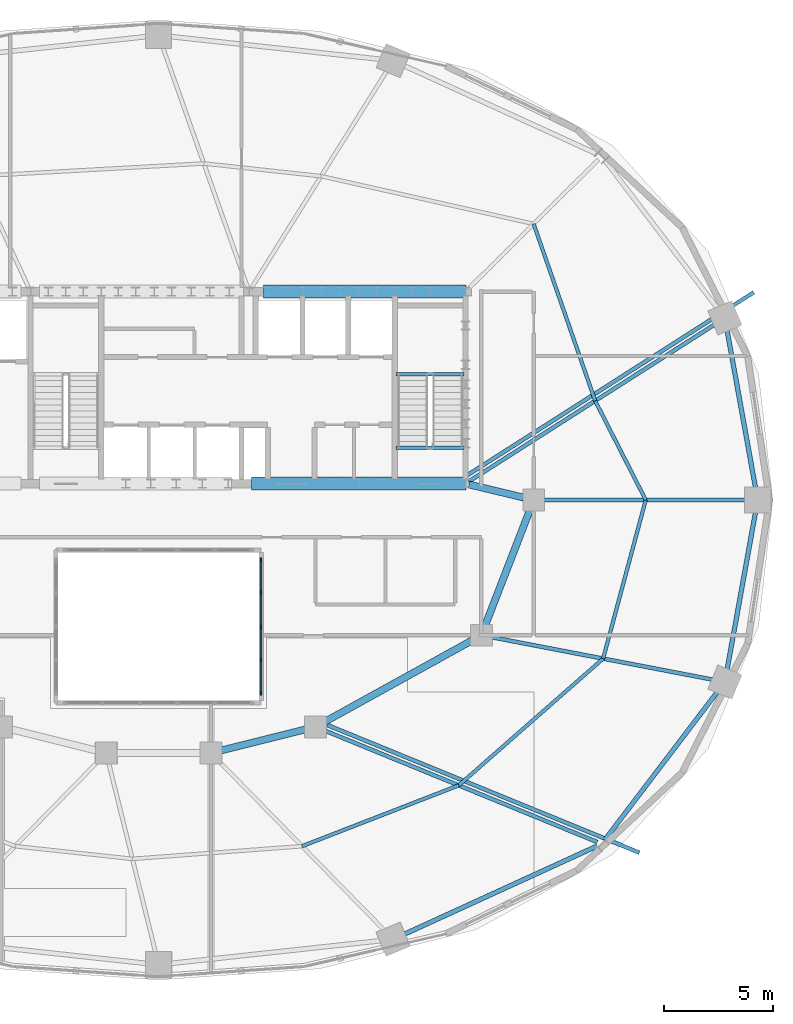
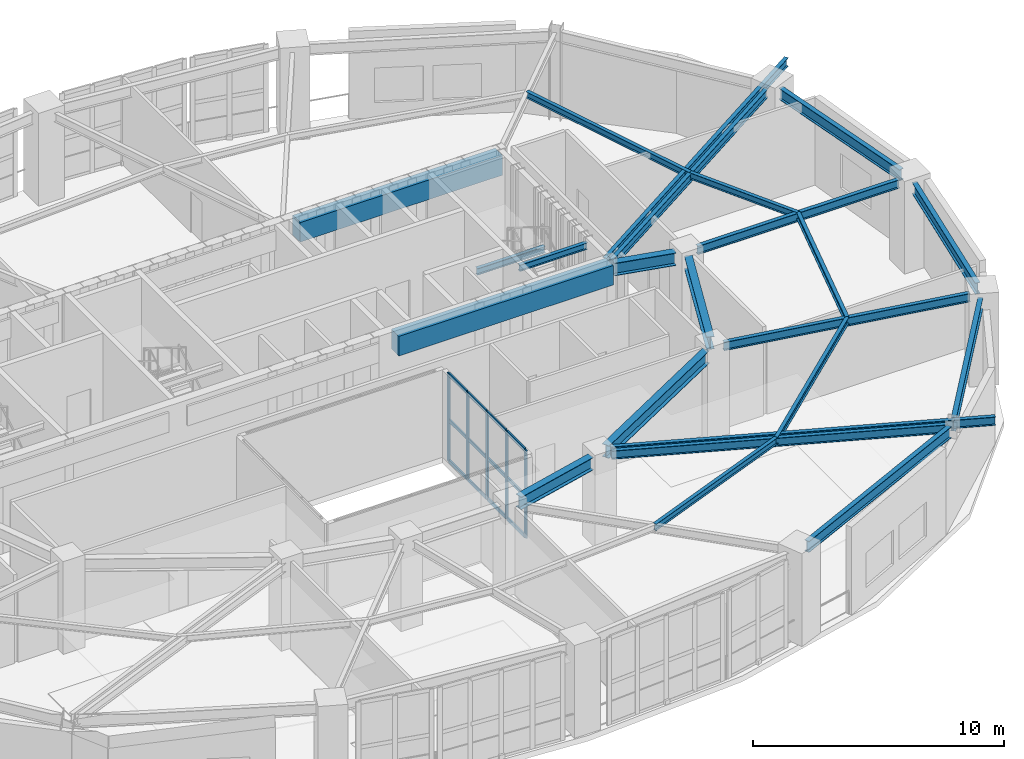
# One storey, part 6 of 16: 23 beams, 17 members, 1 element without a shape of its own.
"""IFC4 building model written with IfcOpenShell, lengths in metres."""

from ifc_helpers import new_model, si_unit, direction, frame, origin, origin_2d, place, context, subcontext, project, spatial, rectangle, i_section, extrude, material, material_profile, profile_set, type_object, element, aggregate, save


model = new_model("IFC4")

# Units and contexts
model_context = context("Model", 3, precision=1e-05, world=origin(), true_north=direction((0.0, 1.0)))
body_context = subcontext(model_context, "Body", "Model", "MODEL_VIEW")
ifc_project = project(units=[si_unit("LENGTHUNIT", "METRE"), si_unit("AREAUNIT", "SQUARE_METRE"), si_unit("VOLUMEUNIT", "CUBIC_METRE"), si_unit("PLANEANGLEUNIT", "RADIAN"), si_unit("MASSUNIT", "GRAM", prefix="KILO")], contexts=[model_context])

# Site, building, storey
site_placement = place(None, origin())
site = spatial("IfcSite", under=ifc_project, at=site_placement, CompositionType="ELEMENT")
building_placement = place(site_placement, origin())
building = spatial("IfcBuilding", under=site, at=building_placement, Name="Haldorwick Loom Tower", CompositionType="ELEMENT")
storey_placement = place(building_placement, frame((0.0, 0.0, 200.35009765625)))
storey = spatial("IfcBuildingStorey", under=building, at=storey_placement, Name="L54", CompositionType="ELEMENT", Elevation=200.35009765625)

# Curtain wall, members
ifc_material_1 = material(Name="Thermally Broken Anodized Aluminium Curtain Wall Framing", Category="aluminium")
curtain_wall_type = type_object("IfcCurtainWallType", Name="ARC-CW-03", PredefinedType="NOTDEFINED", material=ifc_material_1)
curtain_wall_placement = place(storey_placement, origin())
curtain_wall = element("IfcCurtainWall", 1, at=curtain_wall_placement, inside=storey, type_object=curtain_wall_type, Name="L54 Atrium Glazed Screen E", PredefinedType="NOTDEFINED")
ifc_material_profile_1 = material_profile(ifc_material_1, rectangle(XDim=0.06591796875, YDim=0.18505859375, at=origin_2d()), Name="ALU_MUL_66X185", Category="aluminium")
ifc_profile_set_1 = profile_set([ifc_material_profile_1], Name="Thermally Broken Anodized Aluminium Curtain Wall Framing")
member_type_1 = type_object("IfcMemberType", Name="ARC-CWM-03", PredefinedType="MULLION", material=ifc_profile_set_1)
member_1_placement = place(storey_placement, frame((40.699951171875, 23.26708984375, 0.0), z_axis=(0.0, 0.0, 1.0), x_axis=(1.0, 0.0, 0.0)))
member_1 = element("IfcMember", 2, at=member_1_placement, type_object=member_type_1, Name="CW-03 mullion 1", PredefinedType="MULLION", context=body_context, shape_type="SweptSolid", body=[
    extrude(rectangle(XDim=0.06591796875, YDim=0.18505859375, at=origin_2d()), origin(), (0.0, 0.0, 1.0), 4.260009765625),
])
member_2_placement = place(storey_placement, frame((40.699951171875, 21.75, 0.0), z_axis=(0.0, 0.0, 1.0), x_axis=(1.0, 0.0, 0.0)))
member_2 = element("IfcMember", 3, at=member_2_placement, type_object=member_type_1, Name="CW-03 mullion 2", PredefinedType="MULLION", context=body_context, shape_type="SweptSolid", body=[
    extrude(rectangle(XDim=0.06591796875, YDim=0.18505859375, at=origin_2d()), origin(), (0.0, 0.0, 1.0), 4.260009765625),
])
member_3_placement = place(storey_placement, frame((40.699951171875, 20.199951171875, 0.0), z_axis=(0.0, 0.0, 1.0), x_axis=(1.0, 0.0, 0.0)))
member_3 = element("IfcMember", 4, at=member_3_placement, type_object=member_type_1, Name="CW-03 mullion 3", PredefinedType="MULLION", context=body_context, shape_type="SweptSolid", body=[
    extrude(rectangle(XDim=0.06591796875, YDim=0.18505859375, at=origin_2d()), origin(), (0.0, 0.0, 1.0), 4.260009765625),
])
member_4_placement = place(storey_placement, frame((40.699951171875, 18.64990234375, 0.0), z_axis=(0.0, 0.0, 1.0), x_axis=(1.0, 0.0, 0.0)))
member_4 = element("IfcMember", 5, at=member_4_placement, type_object=member_type_1, Name="CW-03 mullion 4", PredefinedType="MULLION", context=body_context, shape_type="SweptSolid", body=[
    extrude(rectangle(XDim=0.06591796875, YDim=0.18505859375, at=origin_2d()), origin(), (0.0, 0.0, 1.0), 4.260009765625),
])
member_5_placement = place(storey_placement, frame((40.699951171875, 17.133056640625, 0.0), z_axis=(0.0, 0.0, 1.0), x_axis=(1.0, 0.0, 0.0)))
member_5 = element("IfcMember", 6, at=member_5_placement, type_object=member_type_1, Name="CW-03 mullion 5", PredefinedType="MULLION", context=body_context, shape_type="SweptSolid", body=[
    extrude(rectangle(XDim=0.06591796875, YDim=0.18505859375, at=origin_2d()), origin(), (0.0, 0.0, 1.0), 4.260009765625),
])
ifc_material_profile_2 = material_profile(ifc_material_1, rectangle(XDim=0.06591796875, YDim=0.1650390625, at=origin_2d()), Name="ALU_TRN_66X165", Category="aluminium")
ifc_profile_set_2 = profile_set([ifc_material_profile_2], Name="Thermally Broken Anodized Aluminium Curtain Wall Framing")
member_type_2 = type_object("IfcMemberType", Name="ARC-CWT-03", PredefinedType="USERDEFINED", material=ifc_profile_set_2)
member_6_placement = place(storey_placement, frame((40.699951171875, 23.23388671875, 0.032958984375), z_axis=(0.0, -1.0, 0.0), x_axis=(1.0, 0.0, 0.0)))
member_6 = element("IfcMember", 7, at=member_6_placement, type_object=member_type_2, Name="CW-03 transom 1.1", ObjectType="TRANSOM", PredefinedType="USERDEFINED", context=body_context, shape_type="SweptSolid", body=[
    extrude(rectangle(XDim=0.06591796875, YDim=0.1650390625, at=origin_2d()), origin(), (0.0, 0.0, 1.0), 1.450927734375),
])
member_7_placement = place(storey_placement, frame((40.699951171875, 23.23388671875, 2.0), z_axis=(0.0, -1.0, 0.0), x_axis=(1.0, 0.0, 0.0)))
member_7 = element("IfcMember", 8, at=member_7_placement, type_object=member_type_2, Name="CW-03 transom 1.2", ObjectType="TRANSOM", PredefinedType="USERDEFINED", context=body_context, shape_type="SweptSolid", body=[
    extrude(rectangle(XDim=0.06591796875, YDim=0.1650390625, at=origin_2d()), origin(), (0.0, 0.0, 1.0), 1.450927734375),
])
member_8_placement = place(storey_placement, frame((40.699951171875, 23.23388671875, 4.226806640625), z_axis=(0.0, -1.0, 0.0), x_axis=(1.0, 0.0, 0.0)))
member_8 = element("IfcMember", 9, at=member_8_placement, type_object=member_type_2, Name="CW-03 transom 1.3", ObjectType="TRANSOM", PredefinedType="USERDEFINED", context=body_context, shape_type="SweptSolid", body=[
    extrude(rectangle(XDim=0.06591796875, YDim=0.1650390625, at=origin_2d()), origin(), (0.0, 0.0, 1.0), 1.450927734375),
])
member_9_placement = place(storey_placement, frame((40.699951171875, 21.717041015625, 0.032958984375), z_axis=(0.0, -1.0, 0.0), x_axis=(1.0, 0.0, 0.0)))
member_9 = element("IfcMember", 10, at=member_9_placement, type_object=member_type_2, Name="CW-03 transom 2.1", ObjectType="TRANSOM", PredefinedType="USERDEFINED", context=body_context, shape_type="SweptSolid", body=[
    extrude(rectangle(XDim=0.06591796875, YDim=0.1650390625, at=origin_2d()), origin(), (0.0, 0.0, 1.0), 1.484130859375),
])
member_10_placement = place(storey_placement, frame((40.699951171875, 21.717041015625, 2.0), z_axis=(0.0, -1.0, 0.0), x_axis=(1.0, 0.0, 0.0)))
member_10 = element("IfcMember", 11, at=member_10_placement, type_object=member_type_2, Name="CW-03 transom 2.2", ObjectType="TRANSOM", PredefinedType="USERDEFINED", context=body_context, shape_type="SweptSolid", body=[
    extrude(rectangle(XDim=0.06591796875, YDim=0.1650390625, at=origin_2d()), origin(), (0.0, 0.0, 1.0), 1.484130859375),
])
member_11_placement = place(storey_placement, frame((40.699951171875, 21.717041015625, 4.226806640625), z_axis=(0.0, -1.0, 0.0), x_axis=(1.0, 0.0, 0.0)))
member_11 = element("IfcMember", 12, at=member_11_placement, type_object=member_type_2, Name="CW-03 transom 2.3", ObjectType="TRANSOM", PredefinedType="USERDEFINED", context=body_context, shape_type="SweptSolid", body=[
    extrude(rectangle(XDim=0.06591796875, YDim=0.1650390625, at=origin_2d()), origin(), (0.0, 0.0, 1.0), 1.484130859375),
])
member_12_placement = place(storey_placement, frame((40.699951171875, 20.1669921875, 0.032958984375), z_axis=(0.0, -1.0, 0.0), x_axis=(1.0, 0.0, 0.0)))
member_12 = element("IfcMember", 13, at=member_12_placement, type_object=member_type_2, Name="CW-03 transom 3.1", ObjectType="TRANSOM", PredefinedType="USERDEFINED", context=body_context, shape_type="SweptSolid", body=[
    extrude(rectangle(XDim=0.06591796875, YDim=0.1650390625, at=origin_2d()), origin(), (0.0, 0.0, 1.0), 1.48388671875),
])
member_13_placement = place(storey_placement, frame((40.699951171875, 20.1669921875, 2.0), z_axis=(0.0, -1.0, 0.0), x_axis=(1.0, 0.0, 0.0)))
member_13 = element("IfcMember", 14, at=member_13_placement, type_object=member_type_2, Name="CW-03 transom 3.2", ObjectType="TRANSOM", PredefinedType="USERDEFINED", context=body_context, shape_type="SweptSolid", body=[
    extrude(rectangle(XDim=0.06591796875, YDim=0.1650390625, at=origin_2d()), origin(), (0.0, 0.0, 1.0), 1.48388671875),
])
member_14_placement = place(storey_placement, frame((40.699951171875, 20.1669921875, 4.226806640625), z_axis=(0.0, -1.0, 0.0), x_axis=(1.0, 0.0, 0.0)))
member_14 = element("IfcMember", 15, at=member_14_placement, type_object=member_type_2, Name="CW-03 transom 3.3", ObjectType="TRANSOM", PredefinedType="USERDEFINED", context=body_context, shape_type="SweptSolid", body=[
    extrude(rectangle(XDim=0.06591796875, YDim=0.1650390625, at=origin_2d()), origin(), (0.0, 0.0, 1.0), 1.48388671875),
])
member_15_placement = place(storey_placement, frame((40.699951171875, 18.616943359375, 0.032958984375), z_axis=(0.0, -1.0, 0.0), x_axis=(1.0, 0.0, 0.0)))
member_15 = element("IfcMember", 16, at=member_15_placement, type_object=member_type_2, Name="CW-03 transom 4.1", ObjectType="TRANSOM", PredefinedType="USERDEFINED", context=body_context, shape_type="SweptSolid", body=[
    extrude(rectangle(XDim=0.06591796875, YDim=0.1650390625, at=origin_2d()), origin(), (0.0, 0.0, 1.0), 1.450927734375),
])
member_16_placement = place(storey_placement, frame((40.699951171875, 18.616943359375, 2.0), z_axis=(0.0, -1.0, 0.0), x_axis=(1.0, 0.0, 0.0)))
member_16 = element("IfcMember", 17, at=member_16_placement, type_object=member_type_2, Name="CW-03 transom 4.2", ObjectType="TRANSOM", PredefinedType="USERDEFINED", context=body_context, shape_type="SweptSolid", body=[
    extrude(rectangle(XDim=0.06591796875, YDim=0.1650390625, at=origin_2d()), origin(), (0.0, 0.0, 1.0), 1.450927734375),
])
member_17_placement = place(storey_placement, frame((40.699951171875, 18.616943359375, 4.226806640625), z_axis=(0.0, -1.0, 0.0), x_axis=(1.0, 0.0, 0.0)))
member_17 = element("IfcMember", 18, at=member_17_placement, type_object=member_type_2, Name="CW-03 transom 4.3", ObjectType="TRANSOM", PredefinedType="USERDEFINED", context=body_context, shape_type="SweptSolid", body=[
    extrude(rectangle(XDim=0.06591796875, YDim=0.1650390625, at=origin_2d()), origin(), (0.0, 0.0, 1.0), 1.450927734375),
])
aggregate(curtain_wall, [member_1, member_2, member_3, member_4, member_5, member_6, member_7, member_8, member_9, member_10, member_11, member_12, member_13, member_14, member_15, member_16, member_17])

# Beams
ifc_material_2 = material(Name="Steel CSA G40.21 350W", Category="steel")
ifc_material_profile_3 = material_profile(ifc_material_2, i_section(OverallWidth=0.179931640625, OverallDepth=0.4130859375, WebThickness=0.009765625, FlangeThickness=0.01611328125, at=origin_2d()), Name="W410X74", Category="steel")
ifc_profile_set_3 = profile_set([ifc_material_profile_3], Name="Steel CSA G40.21 350W")
beam_type_1 = type_object("IfcBeamType", Name="STR-BM-BAL410", PredefinedType="BEAM", material=ifc_profile_set_3)
beam_1_placement = place(storey_placement, frame((43.74560546875, 15.679443359375, 4.053466796875), z_axis=(0.925580184245, -0.378551611451, 0.0), x_axis=(0.378551611451, 0.925580184245, 0.0)))
element("IfcBeam", 19, at=beam_1_placement, inside=storey, type_object=beam_type_1, Name="L54 Continuous Back-Spanned Balcony Beam 1", PredefinedType="BEAM", context=body_context, shape_type="SweptSolid", body=[
    extrude(i_section(OverallWidth=0.179931640625, OverallDepth=0.4130859375, WebThickness=0.009765625, FlangeThickness=0.01611328125, at=origin_2d()), origin(), (0.0, 0.0, 1.0), 15.447509765625),
])
beam_2_placement = place(storey_placement, frame((50.0693359375, 27.081787109375, 4.053466796875), z_axis=(0.842844376394, 0.538157372133, 0.0), x_axis=(-0.538157372133, 0.842844376394, 0.0)))
element("IfcBeam", 20, at=beam_2_placement, inside=storey, type_object=beam_type_1, Name="L54 Continuous Back-Spanned Balcony Beam 4", PredefinedType="BEAM", context=body_context, shape_type="SweptSolid", body=[
    extrude(i_section(OverallWidth=0.179931640625, OverallDepth=0.4130859375, WebThickness=0.009765625, FlangeThickness=0.01611328125, at=origin_2d()), origin(), (0.0, 0.0, 1.0), 15.680419921875),
])
ifc_material_3 = material(Name="Concrete C50 (50 MPa)", Category="concrete")
ifc_material_profile_4 = material_profile(ifc_material_3, rectangle(XDim=0.60009765625, YDim=0.949951171875, at=origin_2d()), Name="RC600X950", Category="concrete")
ifc_profile_set_4 = profile_set([ifc_material_profile_4], Name="Concrete C50 (50 MPa)")
beam_type_2 = type_object("IfcBeamType", Name="STR-BM-CB950", PredefinedType="LINTEL", material=ifc_profile_set_4)
beam_3_placement = place(storey_placement, frame((40.800048828125, 35.550048828125, 3.784912109375), z_axis=(1.0, 0.0, 0.0), x_axis=(0.0, 1.0, 0.0)))
element("IfcBeam", 21, at=beam_3_placement, inside=storey, type_object=beam_type_2, Name="L54 Core Coupling Beam CB-N3", PredefinedType="LINTEL", context=body_context, shape_type="SweptSolid", body=[
    extrude(rectangle(XDim=0.60009765625, YDim=0.949951171875, at=origin_2d()), origin(), (0.0, 0.0, 1.0), 9.300048828125),
])
beam_4_placement = place(storey_placement, frame((40.25, 26.75, 3.784912109375), z_axis=(1.0, 0.0, 0.0), x_axis=(0.0, 1.0, 0.0)))
element("IfcBeam", 22, at=beam_4_placement, inside=storey, type_object=beam_type_2, Name="L54 Core Coupling Beam CB-S3", PredefinedType="LINTEL", context=body_context, shape_type="SweptSolid", body=[
    extrude(rectangle(XDim=0.60009765625, YDim=0.949951171875, at=origin_2d()), origin(), (0.0, 0.0, 1.0), 9.85009765625),
])
ifc_material_profile_5 = material_profile(ifc_material_2, i_section(OverallWidth=0.166015625, OverallDepth=0.31298828125, WebThickness=0.006591796875, FlangeThickness=0.01123046875, at=origin_2d()), Name="W310X45", Category="steel")
ifc_profile_set_5 = profile_set([ifc_material_profile_5], Name="Steel CSA G40.21 350W")
beam_type_3 = type_object("IfcBeamType", Name="STR-BM-J310", PredefinedType="JOIST", material=ifc_profile_set_5)
beam_5_placement = place(storey_placement, frame((58.333251953125, 26.0, 4.103515625), z_axis=(-0.454203827517, 0.890897796085, 0.0), x_axis=(-0.890897796085, -0.454203827517, 0.0)))
element("IfcBeam", 23, at=beam_5_placement, inside=storey, type_object=beam_type_3, Name="L54 Mid-Bay Secondary Joist 1", PredefinedType="JOIST", context=body_context, shape_type="SweptSolid", body=[
    extrude(i_section(OverallWidth=0.166015625, OverallDepth=0.31298828125, WebThickness=0.006591796875, FlangeThickness=0.01123046875, at=origin_2d()), origin(), (0.0, 0.0, 1.0), 5.103271484375),
])
beam_6_placement = place(storey_placement, frame((56.015380859375, 30.54638671875, 4.103515625), z_axis=(-0.328550395803, 0.944486441098, 0.0), x_axis=(-0.944486441098, -0.328550395803, 0.0)))
element("IfcBeam", 24, at=beam_6_placement, inside=storey, type_object=beam_type_3, Name="L54 Mid-Bay Secondary Joist 2", PredefinedType="JOIST", context=body_context, shape_type="SweptSolid", body=[
    extrude(i_section(OverallWidth=0.166015625, OverallDepth=0.31298828125, WebThickness=0.006591796875, FlangeThickness=0.01123046875, at=origin_2d()), origin(), (0.0, 0.0, 1.0), 8.587890625),
])
beam_7_placement = place(storey_placement, frame((42.57666015625, 10.129638671875, 4.103515625), z_axis=(0.932232852675, 0.36185896202, 0.0), x_axis=(-0.36185896202, 0.932232852675, 0.0)))
element("IfcBeam", 25, at=beam_7_placement, inside=storey, type_object=beam_type_3, Name="L54 Mid-Bay Secondary Joist 14", PredefinedType="JOIST", context=body_context, shape_type="SweptSolid", body=[
    extrude(i_section(OverallWidth=0.166015625, OverallDepth=0.31298828125, WebThickness=0.006591796875, FlangeThickness=0.01123046875, at=origin_2d()), origin(), (0.0, 0.0, 1.0), 7.7041015625),
])
beam_8_placement = place(storey_placement, frame((49.7587890625, 12.91748046875, 4.103515625), z_axis=(0.751609427289, 0.659608420815, 0.0), x_axis=(-0.659608420815, 0.751609427289, 0.0)))
element("IfcBeam", 26, at=beam_8_placement, inside=storey, type_object=beam_type_3, Name="L54 Mid-Bay Secondary Joist 15", PredefinedType="JOIST", context=body_context, shape_type="SweptSolid", body=[
    extrude(i_section(OverallWidth=0.166015625, OverallDepth=0.31298828125, WebThickness=0.006591796875, FlangeThickness=0.01123046875, at=origin_2d()), origin(), (0.0, 0.0, 1.0), 8.810302734375),
])
beam_9_placement = place(storey_placement, frame((56.380615234375, 18.728759765625, 4.103515625), z_axis=(0.259353588718, 0.965782437208, 0.0), x_axis=(-0.965782437208, 0.259353588718, 0.0)))
element("IfcBeam", 27, at=beam_9_placement, inside=storey, type_object=beam_type_3, Name="L54 Mid-Bay Secondary Joist 16", PredefinedType="JOIST", context=body_context, shape_type="SweptSolid", body=[
    extrude(i_section(OverallWidth=0.166015625, OverallDepth=0.31298828125, WebThickness=0.006591796875, FlangeThickness=0.01123046875, at=origin_2d()), origin(), (0.0, 0.0, 1.0), 7.52880859375),
])
ifc_material_profile_6 = material_profile(ifc_material_2, i_section(OverallWidth=0.179931640625, OverallDepth=0.4130859375, WebThickness=0.009765625, FlangeThickness=0.01611328125, at=origin_2d()), Name="W410X74", Category="steel")
ifc_profile_set_6 = profile_set([ifc_material_profile_6], Name="Steel CSA G40.21 350W")
beam_type_4 = type_object("IfcBeamType", Name="STR-BM-J410", PredefinedType="JOIST", material=ifc_profile_set_6)
beam_10_placement = place(storey_placement, frame((53.675048828125, 26.0, 4.053466796875), z_axis=(1.0, 0.0, 0.0), x_axis=(0.0, 1.0, 0.0)))
element("IfcBeam", 28, at=beam_10_placement, inside=storey, type_object=beam_type_4, Name="L54 Radial Floor Girder 1", PredefinedType="JOIST", context=body_context, shape_type="SweptSolid", body=[
    extrude(i_section(OverallWidth=0.179931640625, OverallDepth=0.4130859375, WebThickness=0.009765625, FlangeThickness=0.01611328125, at=origin_2d()), origin(), (0.0, 0.0, 1.0), 9.271240234375),
])
beam_11_placement = place(storey_placement, frame((50.219970703125, 26.845703125, 4.053466796875), z_axis=(0.842836647066, 0.538169477361, 0.0), x_axis=(-0.538169477361, 0.842836647066, 0.0)))
element("IfcBeam", 29, at=beam_11_placement, inside=storey, type_object=beam_type_4, Name="L54 Radial Floor Girder 2", PredefinedType="JOIST", context=body_context, shape_type="SweptSolid", body=[
    extrude(i_section(OverallWidth=0.179931640625, OverallDepth=0.4130859375, WebThickness=0.009765625, FlangeThickness=0.01611328125, at=origin_2d()), origin(), (0.0, 0.0, 1.0), 13.410400390625),
])
beam_12_placement = place(storey_placement, frame((43.6396484375, 15.420166015625, 4.053466796875), z_axis=(0.925583323606, -0.378543935445, 0.0), x_axis=(0.378543935445, 0.925583323606, 0.0)))
element("IfcBeam", 30, at=beam_12_placement, inside=storey, type_object=beam_type_4, Name="L54 Radial Floor Girder 15", PredefinedType="JOIST", context=body_context, shape_type="SweptSolid", body=[
    extrude(i_section(OverallWidth=0.179931640625, OverallDepth=0.4130859375, WebThickness=0.009765625, FlangeThickness=0.01611328125, at=origin_2d()), origin(), (0.0, 0.0, 1.0), 13.47216796875),
])
beam_13_placement = place(storey_placement, frame((51.2666015625, 19.71044921875, 4.053466796875), z_axis=(0.982069869785, -0.188517295919, 0.0), x_axis=(0.188517295919, 0.982069869785, 0.0)))
element("IfcBeam", 31, at=beam_13_placement, inside=storey, type_object=beam_type_4, Name="L54 Radial Floor Girder 16", PredefinedType="JOIST", context=body_context, shape_type="SweptSolid", body=[
    extrude(i_section(OverallWidth=0.179931640625, OverallDepth=0.4130859375, WebThickness=0.009765625, FlangeThickness=0.01611328125, at=origin_2d()), origin(), (0.0, 0.0, 1.0), 10.36962890625),
])
ifc_material_profile_7 = material_profile(ifc_material_2, i_section(OverallWidth=0.2119140625, OverallDepth=0.5439453125, WebThickness=0.01318359375, FlangeThickness=0.021240234375, at=origin_2d()), Name="W530X123", Category="steel")
ifc_profile_set_7 = profile_set([ifc_material_profile_7], Name="Steel CSA G40.21 350W")
beam_type_5 = type_object("IfcBeamType", Name="STR-BM-SP530", PredefinedType="SPANDREL", material=ifc_profile_set_7)
beam_14_placement = place(storey_placement, frame((63.3740234375, 26.51171875, 3.98779296875), z_axis=(-0.1775911332, 0.984104359003, 0.0), x_axis=(-0.984104359003, -0.1775911332, 0.0)))
element("IfcBeam", 32, at=beam_14_placement, inside=storey, type_object=beam_type_5, Name="L54 Perimeter Spandrel 1", PredefinedType="SPANDREL", context=body_context, shape_type="SweptSolid", body=[
    extrude(i_section(OverallWidth=0.2119140625, OverallDepth=0.5439453125, WebThickness=0.01318359375, FlangeThickness=0.021240234375, at=origin_2d()), origin(), (0.0, 0.0, 1.0), 7.437255859375),
])
beam_15_placement = place(storey_placement, frame((47.226318359375, 6.07568359375, 3.98779296875), z_axis=(0.909342182232, 0.416049030299, 0.0), x_axis=(-0.416049030299, 0.909342182232, 0.0)))
element("IfcBeam", 33, at=beam_15_placement, inside=storey, type_object=beam_type_5, Name="L54 Perimeter Spandrel 14", PredefinedType="SPANDREL", context=body_context, shape_type="SweptSolid", body=[
    extrude(i_section(OverallWidth=0.2119140625, OverallDepth=0.5439453125, WebThickness=0.01318359375, FlangeThickness=0.021240234375, at=origin_2d()), origin(), (0.0, 0.0, 1.0), 9.772705078125),
])
beam_16_placement = place(storey_placement, frame((56.453857421875, 10.414306640625, 3.98779296875), z_axis=(0.605236944797, 0.796045376001, 0.0), x_axis=(-0.796045376001, 0.605236944797, 0.0)))
element("IfcBeam", 34, at=beam_16_placement, inside=storey, type_object=beam_type_5, Name="L54 Perimeter Spandrel 15", PredefinedType="SPANDREL", context=body_context, shape_type="SweptSolid", body=[
    extrude(i_section(OverallWidth=0.2119140625, OverallDepth=0.5439453125, WebThickness=0.01318359375, FlangeThickness=0.021240234375, at=origin_2d()), origin(), (0.0, 0.0, 1.0), 8.5791015625),
])
beam_17_placement = place(storey_placement, frame((62.05322265625, 18.169189453125, 3.98779296875), z_axis=(0.1775911332, 0.984104359003, 0.0), x_axis=(-0.984104359003, 0.1775911332, 0.0)))
element("IfcBeam", 35, at=beam_17_placement, inside=storey, type_object=beam_type_5, Name="L54 Perimeter Spandrel 16", PredefinedType="SPANDREL", context=body_context, shape_type="SweptSolid", body=[
    extrude(i_section(OverallWidth=0.2119140625, OverallDepth=0.5439453125, WebThickness=0.01318359375, FlangeThickness=0.021240234375, at=origin_2d()), origin(), (0.0, 0.0, 1.0), 7.437255859375),
])
ifc_material_profile_8 = material_profile(ifc_material_2, i_section(OverallWidth=0.166015625, OverallDepth=0.31298828125, WebThickness=0.006591796875, FlangeThickness=0.01123046875, at=origin_2d()), Name="W310X45", Category="steel")
ifc_profile_set_8 = profile_set([ifc_material_profile_8], Name="Steel CSA G40.21 350W")
beam_type_6 = type_object("IfcBeamType", Name="STR-BM-STRM", PredefinedType="BEAM", material=ifc_profile_set_8)
for number, where, z_axis, x_axis, name in (
    (36, (46.889892578125, 28.39990234375, 4.103515625), (1.0, 0.0, 0.0), (0.0, 1.0, 0.0), "L54 Stair ST-02 Landing Edge Trimmer"),
    (37, (46.889892578125, 31.760009765625, 1.893310546875), (1.0, 0.0, 0.0), (0.0, 1.0, 0.0), "L54 Stair ST-02 Half-Landing Trimmer 1"),
):
    element("IfcBeam", number, at=place(storey_placement, frame(where, z_axis=z_axis, x_axis=x_axis)), inside=storey, type_object=beam_type_6, Name=name, PredefinedType="BEAM", context=body_context, shape_type="SweptSolid", body=[
        extrude(i_section(OverallWidth=0.166015625, OverallDepth=0.31298828125, WebThickness=0.006591796875, FlangeThickness=0.01123046875, at=origin_2d()), origin(), (0.0, 0.0, 1.0), 3.1201171875),
    ])
ifc_material_profile_9 = material_profile(ifc_material_2, i_section(OverallWidth=0.324951171875, OverallDepth=0.615966796875, WebThickness=0.013916015625, FlangeThickness=0.021484375, at=origin_2d()), Name="W610X174", Category="steel")
ifc_profile_set_9 = profile_set([ifc_material_profile_9], Name="Steel CSA G40.21 350W")
beam_type_7 = type_object("IfcBeamType", Name="STR-BM-W610A", PredefinedType="BEAM", material=ifc_profile_set_9)
beam_18_placement = place(storey_placement, frame((50.2431640625, 26.70849609375, 3.951904296875), z_axis=(0.972464127734, -0.233052612665, 0.0), x_axis=(0.233052612665, 0.972464127734, 0.0)))
element("IfcBeam", 38, at=beam_18_placement, inside=storey, type_object=beam_type_7, Name="L54 Inner Ring Girder 1", PredefinedType="BEAM", context=body_context, shape_type="SweptSolid", body=[
    extrude(i_section(OverallWidth=0.324951171875, OverallDepth=0.615966796875, WebThickness=0.013916015625, FlangeThickness=0.021484375, at=origin_2d()), origin(), (0.0, 0.0, 1.0), 2.5654296875),
])
beam_19_placement = place(storey_placement, frame((53.028564453125, 25.556884765625, 3.951904296875), z_axis=(-0.36101093026, -0.93256158415, 0.0), x_axis=(0.93256158415, -0.36101093026, 0.0)))
element("IfcBeam", 39, at=beam_19_placement, inside=storey, type_object=beam_type_7, Name="L54 Inner Ring Girder 2", PredefinedType="BEAM", context=body_context, shape_type="SweptSolid", body=[
    extrude(i_section(OverallWidth=0.324951171875, OverallDepth=0.615966796875, WebThickness=0.013916015625, FlangeThickness=0.021484375, at=origin_2d()), origin(), (0.0, 0.0, 1.0), 5.6982421875),
])
beam_20_placement = place(storey_placement, frame((50.38427734375, 19.5703125, 3.951904296875), z_axis=(-0.875243645673, -0.483682293152, 0.0), x_axis=(0.483682293152, -0.875243645673, 0.0)))
element("IfcBeam", 40, at=beam_20_placement, inside=storey, type_object=beam_type_7, Name="L54 Inner Ring Girder 3", PredefinedType="BEAM", context=body_context, shape_type="SweptSolid", body=[
    extrude(i_section(OverallWidth=0.324951171875, OverallDepth=0.615966796875, WebThickness=0.013916015625, FlangeThickness=0.021484375, at=origin_2d()), origin(), (0.0, 0.0, 1.0), 7.7333984375),
])
beam_21_placement = place(storey_placement, frame((42.7392578125, 15.48486328125, 3.951904296875), z_axis=(-0.970135315182, -0.242564363081, 0.0), x_axis=(0.242564363081, -0.970135315182, 0.0)))
element("IfcBeam", 41, at=beam_21_placement, inside=storey, type_object=beam_type_7, Name="L54 Inner Ring Girder 4", PredefinedType="BEAM", context=body_context, shape_type="SweptSolid", body=[
    extrude(i_section(OverallWidth=0.324951171875, OverallDepth=0.615966796875, WebThickness=0.013916015625, FlangeThickness=0.021484375, at=origin_2d()), origin(), (0.0, 0.0, 1.0), 3.997802734375),
])

save(model, "model.ifc")
